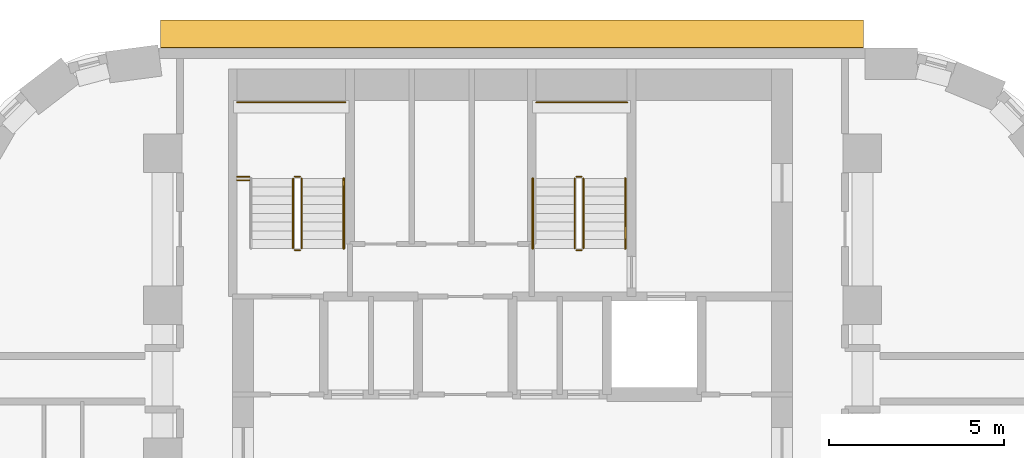
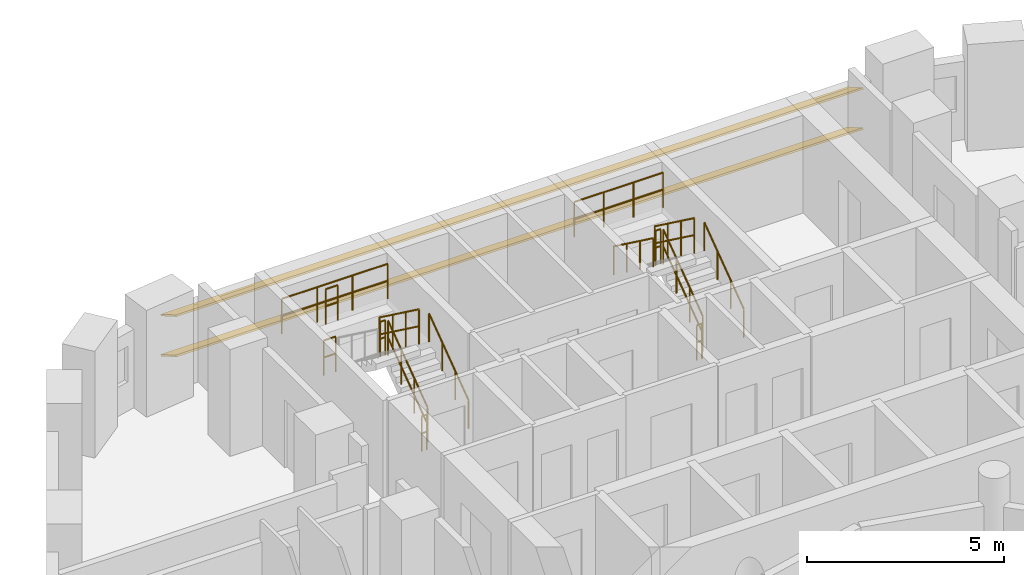
# One storey, part 13 of 13: 15 railings, 2 shading devices.
"""IFC4 building model written with IfcOpenShell, lengths in metres."""

import ifcopenshell
import ifcopenshell.guid

model = None  # the IFC model being written
_history = None  # IfcOwnerHistory: only IFC2X3 demands one
_inside = {}  # id of a spatial element -> (the spatial element, [elements in it])
_under = {}  # id of a project, library or spatial element -> (it, [spatial elements below it])
_declared = {}  # id of a project -> (the project, [libraries it declares])
_typed = {}  # id of a type object -> (the type object, [elements of that type])
_made_of = {}  # id of a material, layer set ... -> (it, [elements and type objects made of it])


def new_model(schema):
    """Start an empty IFC model of exactly this schema.

    Asked for "IFC4X3", IfcOpenShell would pick the latest addendum, in which some entities
    have other attributes; the version numbers below select the first issue.
    IFC2X3 requires an IfcOwnerHistory on every rooted entity: one is made here for all.
    """
    global model, _history
    if schema == "IFC4X3":
        model = ifcopenshell.file(schema_version=(4, 3, 0, 0))
    else:
        model = ifcopenshell.file(schema=schema)
    _inside.clear()
    _under.clear()
    _declared.clear()
    _typed.clear()
    _made_of.clear()
    _history = None
    if model.schema == "IFC2X3":
        org = make("IfcOrganization", Name="unknown")
        user = make(
            "IfcPersonAndOrganization",
            ThePerson=make("IfcPerson", FamilyName="unknown"),
            TheOrganization=org,
        )
        app = make(
            "IfcApplication",
            ApplicationDeveloper=org,
            Version="unknown",
            ApplicationFullName="unknown",
            ApplicationIdentifier="unknown",
        )
        _history = make(
            "IfcOwnerHistory",
            OwningUser=user,
            OwningApplication=app,
            ChangeAction="ADDED",
            CreationDate=0,
        )
    return model


def make(cls, **values):
    """One entity of the class cls with the attributes given. An attribute that is None is left unset."""
    return model.create_entity(
        cls, **{name: value for name, value in values.items() if value is not None}
    )


def rooted(cls, **values):
    """An entity with a GlobalId (a new one), such as an element, a storey or a relation."""
    return make(cls, GlobalId=ifcopenshell.guid.new(), OwnerHistory=_history, **values)


def si_unit(unit_type, name, prefix=None):
    """IfcSIUnit, for example si_unit("LENGTHUNIT", "METRE", prefix="MILLI")."""
    return make("IfcSIUnit", UnitType=unit_type, Prefix=prefix, Name=name)


def assignment(units):
    """IfcUnitAssignment: the units of a project."""
    return None if units is None else make("IfcUnitAssignment", Units=units)


def point(xyz):
    """IfcCartesianPoint."""
    return None if xyz is None else make("IfcCartesianPoint", Coordinates=xyz)


def direction(xyz):
    """IfcDirection."""
    return None if xyz is None else make("IfcDirection", DirectionRatios=xyz)


def frame(location, z_axis=None, x_axis=None):
    """IfcAxis2Placement3D, a coordinate frame: its origin and axes. An axis left out is left unset."""
    return make(
        "IfcAxis2Placement3D",
        Location=point(location),
        Axis=direction(z_axis),
        RefDirection=direction(x_axis),
    )


def frame_2d(location, x_axis=None):
    """IfcAxis2Placement2D, a coordinate frame in the plane: its origin and x axis."""
    return make(
        "IfcAxis2Placement2D", Location=point(location), RefDirection=direction(x_axis)
    )


def origin():
    """The frame at (0, 0, 0) with its axes left unset."""
    return frame((0.0, 0.0, 0.0))


def origin_2d():
    """The frame at (0, 0) in the plane with its x axis left unset."""
    return frame_2d((0.0, 0.0))


def place(relative_to, where):
    """IfcLocalPlacement: puts the frame where relative to a parent placement (None: the world)."""
    return make(
        "IfcLocalPlacement", PlacementRelTo=relative_to, RelativePlacement=where
    )


def context(
    kind, dimensions, precision=None, world=None, true_north=None, identifier=None
):
    """IfcGeometricRepresentationContext, for example the 3D "Model" context."""
    return make(
        "IfcGeometricRepresentationContext",
        ContextIdentifier=identifier,
        ContextType=kind,
        CoordinateSpaceDimension=dimensions,
        Precision=precision,
        WorldCoordinateSystem=world,
        TrueNorth=true_north,
    )


def subcontext(parent, identifier, kind, view, scale=None):
    """IfcGeometricRepresentationSubContext, for example "Body" below "Model"."""
    return make(
        "IfcGeometricRepresentationSubContext",
        ContextIdentifier=identifier,
        ContextType=kind,
        ParentContext=parent,
        TargetScale=scale,
        TargetView=view,
    )


def project(units=None, contexts=None):
    """IfcProject with its units and contexts."""
    return rooted(
        "IfcProject",
        Name="project",
        RepresentationContexts=contexts,
        UnitsInContext=assignment(units),
    )


def spatial(cls, under=None, at=None, **own):
    """A site, building, storey or space (cls), placed at a placement, below another one or the project."""
    s = rooted(cls, ObjectPlacement=at, **own)
    if under is not None:
        _under.setdefault(under.id(), (under, []))[1].append(s)
    return s


def profile(cls, at=None, kind="AREA", **sizes):
    """A parametric profile (cls). Its sizes go by their IFC names, for example OverallWidth=200.0."""
    return make(cls, ProfileType=kind, Position=at, **sizes)


def rectangle(**sizes):
    """IfcRectangleProfileDef."""
    return profile("IfcRectangleProfileDef", **sizes)


def circle(**sizes):
    """IfcCircleProfileDef."""
    return profile("IfcCircleProfileDef", **sizes)


def extrude(swept, where, along, depth):
    """IfcExtrudedAreaSolid: the profile swept, set in the frame where, extruded along a direction by depth."""
    return make(
        "IfcExtrudedAreaSolid",
        SweptArea=swept,
        Position=where,
        ExtrudedDirection=direction(along),
        Depth=depth,
    )


def shape(context_of_items, identifier, shape_type, items):
    """IfcShapeRepresentation: the items that make up one representation, for example the "Body"."""
    return make(
        "IfcShapeRepresentation",
        ContextOfItems=context_of_items,
        RepresentationIdentifier=identifier,
        RepresentationType=shape_type,
        Items=items,
    )


def material(Name=None, Category=None):
    """IfcMaterial."""
    return make("IfcMaterial", Name=Name, Category=Category)


def material_profile(
    of_material, cross_section, Name=None, Category=None, Priority=None
):
    """IfcMaterialProfile: a cross section and its material."""
    return make(
        "IfcMaterialProfile",
        Name=Name,
        Material=of_material,
        Profile=cross_section,
        Priority=Priority,
        Category=Category,
    )


def profile_set(profiles, Name=None, composite=None):
    """IfcMaterialProfileSet."""
    return make(
        "IfcMaterialProfileSet",
        Name=Name,
        MaterialProfiles=profiles,
        CompositeProfile=composite,
    )


def made_of(thing, what):
    """Note that an element or type object is made of a material, layer set ...; save() writes the relation."""
    if what is not None:
        _made_of.setdefault(what.id(), (what, []))[1].append(thing)
    return thing


def type_object(cls, material=None, **own):
    """A type object (cls), such as IfcWallType, which elements share."""
    return made_of(rooted(cls, **own), material)


def element(
    cls,
    number,
    at=None,
    inside=None,
    cuts=None,
    type_object=None,
    material=None,
    context=None,
    identifier="Body",
    shape_type=None,
    held_by="IfcProductDefinitionShape",
    body=None,
    shapes=None,
    **own,
):
    """One element of the class cls, such as IfcWall. Its Tag is "e" and its number.

    at: its placement. inside: the storey or other place that contains it. cuts: it is an
    opening in that element (IfcRelVoidsElement). A single representation is given by context,
    identifier, shape_type and body (its items); several are given by shapes. held_by: the class
    of the entity that holds the representations. save() writes the other relations.
    """
    e = rooted(cls, Tag="e%d" % number, ObjectPlacement=at, **own)
    if body is not None:
        shapes = [shape(context, identifier, shape_type, body)]
    if shapes is not None:
        e.Representation = make(held_by, Representations=shapes)
    if inside is not None:
        _inside.setdefault(inside.id(), (inside, []))[1].append(e)
    if cuts is not None:
        rooted(
            "IfcRelVoidsElement", RelatingBuildingElement=cuts, RelatedOpeningElement=e
        )
    if type_object is not None:
        _typed.setdefault(type_object.id(), (type_object, []))[1].append(e)
    return made_of(e, material)


def aggregate(whole, parts):
    """IfcRelAggregates: a whole, such as a stair, and the parts it consists of."""
    return rooted("IfcRelAggregates", RelatingObject=whole, RelatedObjects=parts)


def save(model, path):
    """Write the relations noted so far, then the file.

    IfcRelAggregates (storeys below a building ...), IfcRelContainedInSpatialStructure (elements
    in a storey), IfcRelDefinesByType, IfcRelAssociatesMaterial and IfcRelDeclares: one each for
    every whole, place, type object, material and project.
    """
    for whole, parts in _under.values():
        aggregate(whole, parts)
    for where, things in _inside.values():
        rooted(
            "IfcRelContainedInSpatialStructure",
            RelatedElements=things,
            RelatingStructure=where,
        )
    for kind, things in _typed.values():
        rooted("IfcRelDefinesByType", RelatedObjects=things, RelatingType=kind)
    for what, things in _made_of.values():
        rooted("IfcRelAssociatesMaterial", RelatedObjects=things, RelatingMaterial=what)
    for by, libraries in _declared.values():
        rooted("IfcRelDeclares", RelatingContext=by, RelatedDefinitions=libraries)
    model.write(path)


model = new_model("IFC4")

# Units and contexts
model_context = context("Model", 3, precision=1e-05, world=origin(), true_north=direction((0.0, 1.0)))
body_context = subcontext(model_context, "Body", "Model", "MODEL_VIEW")
ifc_project = project(units=[si_unit("LENGTHUNIT", "METRE"), si_unit("AREAUNIT", "SQUARE_METRE"), si_unit("VOLUMEUNIT", "CUBIC_METRE"), si_unit("PLANEANGLEUNIT", "RADIAN"), si_unit("MASSUNIT", "GRAM", prefix="KILO")], contexts=[model_context])

# Site, building, storey
site_placement = place(None, origin())
site = spatial("IfcSite", under=ifc_project, at=site_placement, CompositionType="ELEMENT")
building_placement = place(site_placement, origin())
building = spatial("IfcBuilding", under=site, at=building_placement, Name="Nakaniwa Court", CompositionType="ELEMENT")
storey_placement = place(building_placement, frame((0.0, 0.0, 41.39990234375)))
storey = spatial("IfcBuildingStorey", under=building, at=storey_placement, Name="L10", CompositionType="ELEMENT", Elevation=41.39990234375)

# Shading devices
ifc_material_1 = material(Name="Perforated charcoal ceramic louvre blade")
ifc_material_profile = material_profile(ifc_material_1, rectangle(XDim=0.89990234375, YDim=0.050048828125, at=origin_2d()), Name="Perforated ceramic louvre blade")
ifc_profile_set = profile_set([ifc_material_profile], Name="Perforated charcoal ceramic louvre blade")
shading_device_type = type_object("IfcShadingDeviceType", Name="Perforated ceramic louvre blade", PredefinedType="JALOUSIE", material=ifc_profile_set)
for number, where, z_axis, x_axis, name in (
    (1, (90.02880859375, 104.402099609375, 0.550048828125), (-1.0, 0.0, 0.0), (0.0, -0.866025403784, 0.5), "L10 perforated ceramic louvre blade w08 1"),
    (2, (90.02880859375, 104.402099609375, 1.79345703125), (-1.0, 0.0, 0.0), (0.0, -0.866025403784, 0.5), "L10 perforated ceramic louvre blade w08 2"),
):
    element("IfcShadingDevice", number, at=place(storey_placement, frame(where, z_axis=z_axis, x_axis=x_axis)), inside=storey, type_object=shading_device_type, Name=name, PredefinedType="JALOUSIE", context=body_context, shape_type="SweptSolid", body=[
        extrude(rectangle(XDim=0.89990234375, YDim=0.050048828125, at=origin_2d()), origin(), (0.0, 0.0, 1.0), 20.090576171875),
    ])

# Railings
ifc_material_2 = material(Name="Black powder coated steel guard", Category="steel")
railing_type_1 = type_object("IfcRailingType", Name="Stair guard 1100", PredefinedType="GUARDRAIL", material=ifc_material_2)
railing_1_placement = place(storey_placement, frame((73.97509765625, 98.27490234375, 0.183349609375)))
element("IfcRailing", 3, at=railing_1_placement, inside=storey, type_object=railing_type_1, Name="L10 ST1 stair guard 1", PredefinedType="GUARDRAIL", context=body_context, shape_type="SweptSolid", body=[
    extrude(circle(Radius=0.02392578125, at=origin_2d()), frame((0.0, 0.0, 1.076171875), z_axis=(0.0, 0.806379959628, 0.591397802423), x_axis=(-1.0, 0.0, 0.0)), (0.0, 0.0, 1.0), 2.480224609375),
    extrude(circle(Radius=0.02392578125, at=origin_2d()), frame((0.0, 0.0, 0.550048828125), z_axis=(0.0, 0.806379959628, 0.591397802423), x_axis=(-1.0, 0.0, 0.0)), (0.0, 0.0, 1.0), 2.480224609375),
    extrude(circle(Radius=0.02099609375, at=origin_2d()), origin(), (0.0, 0.0, 1.0), 1.052001953125),
    extrude(circle(Radius=0.02099609375, at=origin_2d()), frame((0.0, 0.666748046875, 0.489013671875)), (0.0, 0.0, 1.0), 1.052001953125),
    extrude(circle(Radius=0.02099609375, at=origin_2d()), frame((0.0, 1.333251953125, 0.977783203125)), (0.0, 0.0, 1.0), 1.052001953125),
    extrude(circle(Radius=0.02099609375, at=origin_2d()), frame((0.0, 2.0, 1.466796875)), (0.0, 0.0, 1.0), 1.052001953125),
])
railing_2_placement = place(storey_placement, frame((73.925048828125, 100.324951171875, 1.650146484375)))
element("IfcRailing", 4, at=railing_2_placement, inside=storey, type_object=railing_type_1, Name="L10 ST1 stair guard 2", PredefinedType="GUARDRAIL", context=body_context, shape_type="SweptSolid", body=[
    extrude(circle(Radius=0.02392578125, at=origin_2d()), frame((0.0, 0.0, 1.076171875), z_axis=(-1.0, 0.0, 0.0), x_axis=(0.0, -1.0, 0.0)), (0.0, 0.0, 1.0), 0.150146484375),
    extrude(circle(Radius=0.02392578125, at=origin_2d()), frame((0.0, 0.0, 0.550048828125), z_axis=(-1.0, 0.0, 0.0), x_axis=(0.0, -1.0, 0.0)), (0.0, 0.0, 1.0), 0.150146484375),
    extrude(circle(Radius=0.02099609375, at=origin_2d()), origin(), (0.0, 0.0, 1.0), 1.052001953125),
    extrude(circle(Radius=0.02099609375, at=origin_2d()), frame((-0.150146484375, 0.0, 0.0)), (0.0, 0.0, 1.0), 1.052001953125),
])
railing_3_placement = place(storey_placement, frame((73.72509765625, 100.27490234375, 1.83349609375)))
element("IfcRailing", 5, at=railing_3_placement, inside=storey, type_object=railing_type_1, Name="L10 ST1 stair guard 3", PredefinedType="GUARDRAIL", context=body_context, shape_type="SweptSolid", body=[
    extrude(circle(Radius=0.02392578125, at=origin_2d()), frame((0.0, 0.0, 1.076171875), z_axis=(0.0, -0.806426902644, 0.591333789573), x_axis=(1.0, 0.0, 0.0)), (0.0, 0.0, 1.0), 2.47998046875),
    extrude(circle(Radius=0.02392578125, at=origin_2d()), frame((0.0, 0.0, 0.550048828125), z_axis=(0.0, -0.806426902644, 0.591333789573), x_axis=(1.0, 0.0, 0.0)), (0.0, 0.0, 1.0), 2.47998046875),
    extrude(circle(Radius=0.02099609375, at=origin_2d()), origin(), (0.0, 0.0, 1.0), 1.052001953125),
    extrude(circle(Radius=0.02099609375, at=origin_2d()), frame((0.0, -0.666748046875, 0.48876953125)), (0.0, 0.0, 1.0), 1.052001953125),
    extrude(circle(Radius=0.02099609375, at=origin_2d()), frame((0.0, -1.333251953125, 0.977783203125)), (0.0, 0.0, 1.0), 1.052001953125),
    extrude(circle(Radius=0.02099609375, at=origin_2d()), frame((0.0, -2.0, 1.466552734375)), (0.0, 0.0, 1.0), 1.052001953125),
])
railing_4_placement = place(storey_placement, frame((73.925048828125, 98.22509765625, 0.0)))
element("IfcRailing", 6, at=railing_4_placement, inside=storey, type_object=railing_type_1, Name="L10 ST1 stair guard 4", PredefinedType="GUARDRAIL", context=body_context, shape_type="SweptSolid", body=[
    extrude(circle(Radius=0.02392578125, at=origin_2d()), frame((0.0, 0.0, 1.076171875), z_axis=(-1.0, 0.0, 0.0), x_axis=(0.0, -1.0, 0.0)), (0.0, 0.0, 1.0), 0.150146484375),
    extrude(circle(Radius=0.02392578125, at=origin_2d()), frame((0.0, 0.0, 0.550048828125), z_axis=(-1.0, 0.0, 0.0), x_axis=(0.0, -1.0, 0.0)), (0.0, 0.0, 1.0), 0.150146484375),
    extrude(circle(Radius=0.02099609375, at=origin_2d()), origin(), (0.0, 0.0, 1.0), 1.052001953125),
    extrude(circle(Radius=0.02099609375, at=origin_2d()), frame((-0.150146484375, 0.0, 0.0)), (0.0, 0.0, 1.0), 1.052001953125),
])
railing_5_placement = place(storey_placement, frame((72.125, 102.449951171875, 1.650146484375)))
element("IfcRailing", 7, at=railing_5_placement, inside=storey, type_object=railing_type_1, Name="L10 ST1 landing end guard 1", PredefinedType="GUARDRAIL", context=body_context, shape_type="SweptSolid", body=[
    extrude(circle(Radius=0.02392578125, at=origin_2d()), frame((0.0, 0.0, 1.076171875), z_axis=(1.0, 0.0, 0.0), x_axis=(0.0, 1.0, 0.0)), (0.0, 0.0, 1.0), 3.10009765625),
    extrude(circle(Radius=0.02392578125, at=origin_2d()), frame((0.0, 0.0, 0.550048828125), z_axis=(1.0, 0.0, 0.0), x_axis=(0.0, 1.0, 0.0)), (0.0, 0.0, 1.0), 3.10009765625),
    extrude(circle(Radius=0.02099609375, at=origin_2d()), origin(), (0.0, 0.0, 1.0), 1.052001953125),
    extrude(circle(Radius=0.02099609375, at=origin_2d()), frame((1.033447265625, 0.0, 0.0)), (0.0, 0.0, 1.0), 1.052001953125),
    extrude(circle(Radius=0.02099609375, at=origin_2d()), frame((2.066650390625, 0.0, 0.0)), (0.0, 0.0, 1.0), 1.052001953125),
    extrude(circle(Radius=0.02099609375, at=origin_2d()), frame((3.10009765625, 0.0, 0.0)), (0.0, 0.0, 1.0), 1.052001953125),
])
for number, where, name in (
    (8, (72.125, 100.324951171875, 1.650146484375), "L10 ST1 landing side guard 1W"),
    (9, (72.125, 100.22509765625, 3.300048828125), "L10 ST1 floor edge guard 1W"),
):
    element("IfcRailing", number, at=place(storey_placement, frame(where)), inside=storey, type_object=railing_type_1, Name=name, PredefinedType="GUARDRAIL", context=body_context, shape_type="SweptSolid", body=[
        extrude(circle(Radius=0.02392578125, at=origin_2d()), frame((0.0, 0.0, 1.076171875), z_axis=(1.0, 0.0, 0.0), x_axis=(0.0, 1.0, 0.0)), (0.0, 0.0, 1.0), 0.35009765625),
        extrude(circle(Radius=0.02392578125, at=origin_2d()), frame((0.0, 0.0, 0.550048828125), z_axis=(1.0, 0.0, 0.0), x_axis=(0.0, 1.0, 0.0)), (0.0, 0.0, 1.0), 0.35009765625),
        extrude(circle(Radius=0.02099609375, at=origin_2d()), origin(), (0.0, 0.0, 1.0), 1.052001953125),
        extrude(circle(Radius=0.02099609375, at=origin_2d()), frame((0.35009765625, 0.0, 0.0)), (0.0, 0.0, 1.0), 1.052001953125),
    ])
railing_6_placement = place(storey_placement, frame((82.02490234375, 98.27490234375, 0.183349609375)))
element("IfcRailing", 10, at=railing_6_placement, inside=storey, type_object=railing_type_1, Name="L10 ST2 stair guard 1", PredefinedType="GUARDRAIL", context=body_context, shape_type="SweptSolid", body=[
    extrude(circle(Radius=0.02392578125, at=origin_2d()), frame((0.0, 0.0, 1.076171875), z_axis=(0.0, 0.806379959628, 0.591397802423), x_axis=(-1.0, 0.0, 0.0)), (0.0, 0.0, 1.0), 2.480224609375),
    extrude(circle(Radius=0.02392578125, at=origin_2d()), frame((0.0, 0.0, 0.550048828125), z_axis=(0.0, 0.806379959628, 0.591397802423), x_axis=(-1.0, 0.0, 0.0)), (0.0, 0.0, 1.0), 2.480224609375),
    extrude(circle(Radius=0.02099609375, at=origin_2d()), origin(), (0.0, 0.0, 1.0), 1.052001953125),
    extrude(circle(Radius=0.02099609375, at=origin_2d()), frame((0.0, 0.666748046875, 0.489013671875)), (0.0, 0.0, 1.0), 1.052001953125),
    extrude(circle(Radius=0.02099609375, at=origin_2d()), frame((0.0, 1.333251953125, 0.977783203125)), (0.0, 0.0, 1.0), 1.052001953125),
    extrude(circle(Radius=0.02099609375, at=origin_2d()), frame((0.0, 2.0, 1.466796875)), (0.0, 0.0, 1.0), 1.052001953125),
])
railing_7_placement = place(storey_placement, frame((81.97509765625, 100.324951171875, 1.650146484375)))
element("IfcRailing", 11, at=railing_7_placement, inside=storey, type_object=railing_type_1, Name="L10 ST2 stair guard 2", PredefinedType="GUARDRAIL", context=body_context, shape_type="SweptSolid", body=[
    extrude(circle(Radius=0.02392578125, at=origin_2d()), frame((0.0, 0.0, 1.076171875), z_axis=(-1.0, 0.0, 0.0), x_axis=(0.0, -1.0, 0.0)), (0.0, 0.0, 1.0), 0.150146484375),
    extrude(circle(Radius=0.02392578125, at=origin_2d()), frame((0.0, 0.0, 0.550048828125), z_axis=(-1.0, 0.0, 0.0), x_axis=(0.0, -1.0, 0.0)), (0.0, 0.0, 1.0), 0.150146484375),
    extrude(circle(Radius=0.02099609375, at=origin_2d()), origin(), (0.0, 0.0, 1.0), 1.052001953125),
    extrude(circle(Radius=0.02099609375, at=origin_2d()), frame((-0.150146484375, 0.0, 0.0)), (0.0, 0.0, 1.0), 1.052001953125),
])
railing_8_placement = place(storey_placement, frame((81.77490234375, 100.27490234375, 1.83349609375)))
element("IfcRailing", 12, at=railing_8_placement, inside=storey, type_object=railing_type_1, Name="L10 ST2 stair guard 3", PredefinedType="GUARDRAIL", context=body_context, shape_type="SweptSolid", body=[
    extrude(circle(Radius=0.02392578125, at=origin_2d()), frame((0.0, 0.0, 1.076171875), z_axis=(0.0, -0.806426902644, 0.591333789573), x_axis=(1.0, 0.0, 0.0)), (0.0, 0.0, 1.0), 2.47998046875),
    extrude(circle(Radius=0.02392578125, at=origin_2d()), frame((0.0, 0.0, 0.550048828125), z_axis=(0.0, -0.806426902644, 0.591333789573), x_axis=(1.0, 0.0, 0.0)), (0.0, 0.0, 1.0), 2.47998046875),
    extrude(circle(Radius=0.02099609375, at=origin_2d()), origin(), (0.0, 0.0, 1.0), 1.052001953125),
    extrude(circle(Radius=0.02099609375, at=origin_2d()), frame((0.0, -0.666748046875, 0.48876953125)), (0.0, 0.0, 1.0), 1.052001953125),
    extrude(circle(Radius=0.02099609375, at=origin_2d()), frame((0.0, -1.333251953125, 0.977783203125)), (0.0, 0.0, 1.0), 1.052001953125),
    extrude(circle(Radius=0.02099609375, at=origin_2d()), frame((0.0, -2.0, 1.466552734375)), (0.0, 0.0, 1.0), 1.052001953125),
])
railing_9_placement = place(storey_placement, frame((81.97509765625, 98.22509765625, 0.0)))
element("IfcRailing", 13, at=railing_9_placement, inside=storey, type_object=railing_type_1, Name="L10 ST2 stair guard 4", PredefinedType="GUARDRAIL", context=body_context, shape_type="SweptSolid", body=[
    extrude(circle(Radius=0.02392578125, at=origin_2d()), frame((0.0, 0.0, 1.076171875), z_axis=(-1.0, 0.0, 0.0), x_axis=(0.0, -1.0, 0.0)), (0.0, 0.0, 1.0), 0.150146484375),
    extrude(circle(Radius=0.02392578125, at=origin_2d()), frame((0.0, 0.0, 0.550048828125), z_axis=(-1.0, 0.0, 0.0), x_axis=(0.0, -1.0, 0.0)), (0.0, 0.0, 1.0), 0.150146484375),
    extrude(circle(Radius=0.02099609375, at=origin_2d()), origin(), (0.0, 0.0, 1.0), 1.052001953125),
    extrude(circle(Radius=0.02099609375, at=origin_2d()), frame((-0.150146484375, 0.0, 0.0)), (0.0, 0.0, 1.0), 1.052001953125),
])
railing_10_placement = place(storey_placement, frame((80.675048828125, 102.449951171875, 1.650146484375)))
element("IfcRailing", 14, at=railing_10_placement, inside=storey, type_object=railing_type_1, Name="L10 ST2 landing end guard 1", PredefinedType="GUARDRAIL", context=body_context, shape_type="SweptSolid", body=[
    extrude(circle(Radius=0.02392578125, at=origin_2d()), frame((0.0, 0.0, 1.076171875), z_axis=(1.0, 0.0, 0.0), x_axis=(0.0, 1.0, 0.0)), (0.0, 0.0, 1.0), 2.599853515625),
    extrude(circle(Radius=0.02392578125, at=origin_2d()), frame((0.0, 0.0, 0.550048828125), z_axis=(1.0, 0.0, 0.0), x_axis=(0.0, 1.0, 0.0)), (0.0, 0.0, 1.0), 2.599853515625),
    extrude(circle(Radius=0.02099609375, at=origin_2d()), origin(), (0.0, 0.0, 1.0), 1.052001953125),
    extrude(circle(Radius=0.02099609375, at=origin_2d()), frame((0.86669921875, 0.0, 0.0)), (0.0, 0.0, 1.0), 1.052001953125),
    extrude(circle(Radius=0.02099609375, at=origin_2d()), frame((1.733154296875, 0.0, 0.0)), (0.0, 0.0, 1.0), 1.052001953125),
    extrude(circle(Radius=0.02099609375, at=origin_2d()), frame((2.599853515625, 0.0, 0.0)), (0.0, 0.0, 1.0), 1.052001953125),
])
ifc_material_3 = material(Name="Black powder coated steel handrail", Category="steel")
railing_type_2 = type_object("IfcRailingType", Name="Stair handrail 900", PredefinedType="HANDRAIL", material=ifc_material_3)
for number, where, name in (
    (15, (75.175048828125, 98.27490234375, 0.183349609375), "L10 ST1 stair handrail 1"),
    (16, (83.22509765625, 98.27490234375, 0.183349609375), "L10 ST2 stair handrail 1"),
):
    element("IfcRailing", number, at=place(storey_placement, frame(where)), inside=storey, type_object=railing_type_2, Name=name, PredefinedType="HANDRAIL", context=body_context, shape_type="SweptSolid", body=[
        extrude(circle(Radius=0.02392578125, at=origin_2d()), frame((0.0, 0.0, 0.8759765625), z_axis=(0.0, 0.806379959628, 0.591397802423), x_axis=(-1.0, 0.0, 0.0)), (0.0, 0.0, 1.0), 2.480224609375),
        extrude(circle(Radius=0.02099609375, at=origin_2d()), origin(), (0.0, 0.0, 1.0), 0.851806640625),
        extrude(circle(Radius=0.02099609375, at=origin_2d()), frame((0.0, 0.666748046875, 0.489013671875)), (0.0, 0.0, 1.0), 0.851806640625),
        extrude(circle(Radius=0.02099609375, at=origin_2d()), frame((0.0, 1.333251953125, 0.977783203125)), (0.0, 0.0, 1.0), 0.851806640625),
        extrude(circle(Radius=0.02099609375, at=origin_2d()), frame((0.0, 2.0, 1.466796875)), (0.0, 0.0, 1.0), 0.851806640625),
    ])
railing_11_placement = place(storey_placement, frame((80.574951171875, 100.27490234375, 1.83349609375)))
element("IfcRailing", 17, at=railing_11_placement, inside=storey, type_object=railing_type_2, Name="L10 ST2 stair handrail 2", PredefinedType="HANDRAIL", context=body_context, shape_type="SweptSolid", body=[
    extrude(circle(Radius=0.02392578125, at=origin_2d()), frame((0.0, 0.0, 0.8759765625), z_axis=(0.0, -0.806426902644, 0.591333789573), x_axis=(1.0, 0.0, 0.0)), (0.0, 0.0, 1.0), 2.47998046875),
    extrude(circle(Radius=0.02099609375, at=origin_2d()), origin(), (0.0, 0.0, 1.0), 0.851806640625),
    extrude(circle(Radius=0.02099609375, at=origin_2d()), frame((0.0, -0.666748046875, 0.48876953125)), (0.0, 0.0, 1.0), 0.851806640625),
    extrude(circle(Radius=0.02099609375, at=origin_2d()), frame((0.0, -1.333251953125, 0.977783203125)), (0.0, 0.0, 1.0), 0.851806640625),
    extrude(circle(Radius=0.02099609375, at=origin_2d()), frame((0.0, -2.0, 1.466552734375)), (0.0, 0.0, 1.0), 0.851806640625),
])

save(model, "model.ifc")
